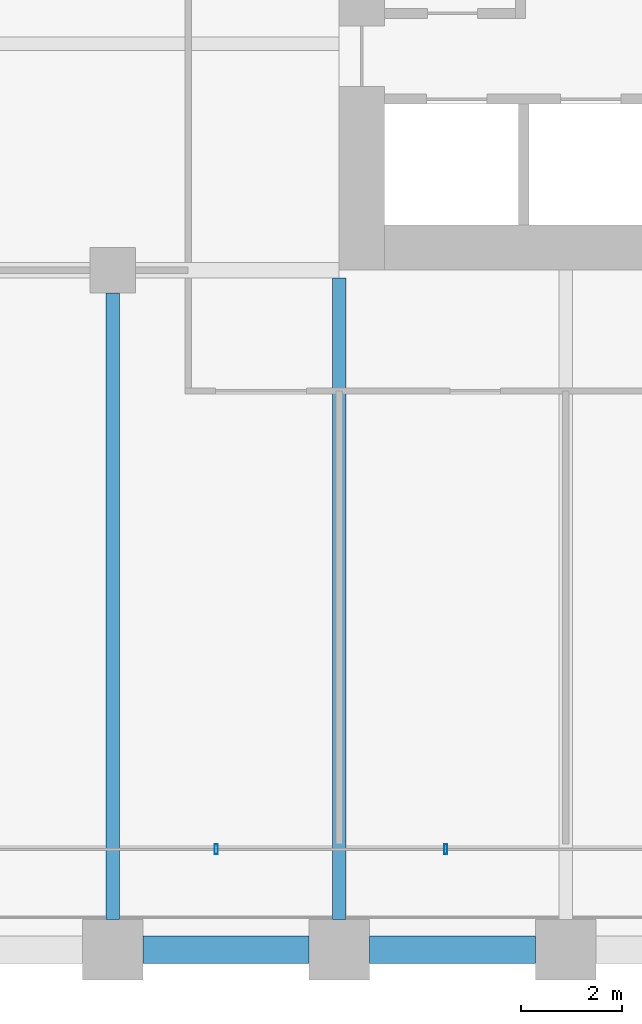
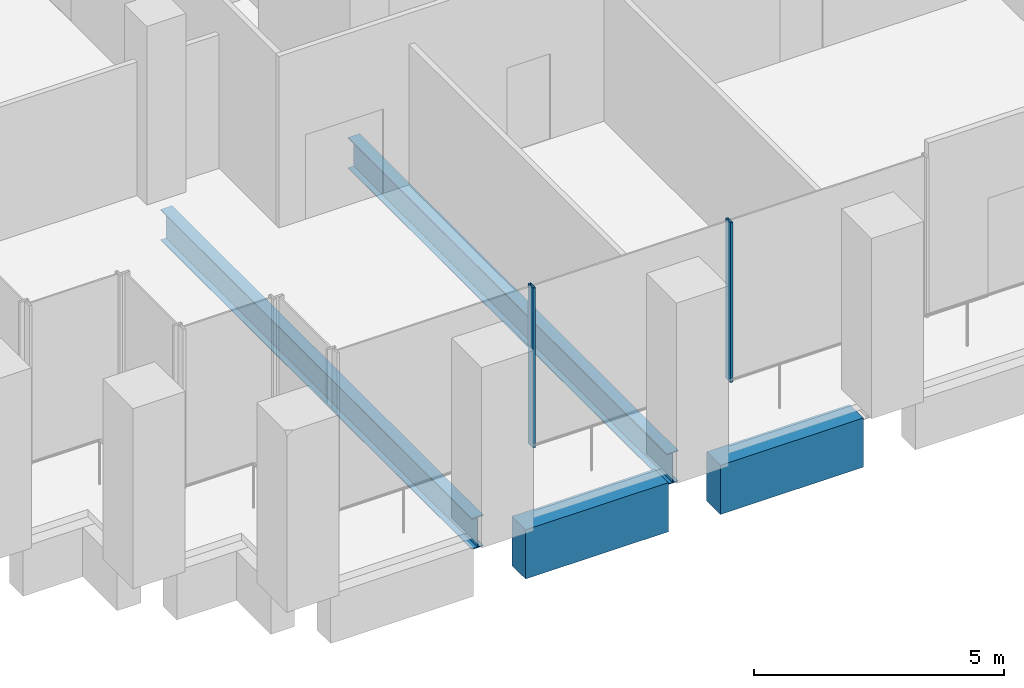
# One storey, part 3 of 36: 4 beams, 2 members, 1 element without a shape of its own.
"""IFC4 building model written with IfcOpenShell, lengths in metres."""

from ifc_helpers import new_model, si_unit, direction, frame, origin, origin_2d, place, context, subcontext, project, spatial, rectangle, hollow_rectangle, i_section, extrude, material, material_profile, profile_set, type_object, element, aggregate, save


model = new_model("IFC4")

# Units and contexts
model_context = context("Model", 3, precision=1e-05, world=origin(), true_north=direction((0.0, 1.0)))
body_context = subcontext(model_context, "Body", "Model", "MODEL_VIEW")
ifc_project = project(units=[si_unit("LENGTHUNIT", "METRE"), si_unit("AREAUNIT", "SQUARE_METRE"), si_unit("VOLUMEUNIT", "CUBIC_METRE"), si_unit("PLANEANGLEUNIT", "RADIAN"), si_unit("MASSUNIT", "GRAM", prefix="KILO")], contexts=[model_context])

# Site, building, storey
site_placement = place(None, origin())
site = spatial("IfcSite", under=ifc_project, at=site_placement, CompositionType="ELEMENT")
building_placement = place(site_placement, origin())
building = spatial("IfcBuilding", under=site, at=building_placement, Name="Altepetl Exchange Towers", CompositionType="ELEMENT")
storey_placement = place(building_placement, frame((0.0, 0.0, 25.39990234375)))
storey = spatial("IfcBuildingStorey", under=building, at=storey_placement, Name="L05", CompositionType="ELEMENT", Elevation=25.39990234375)

# Beams
ifc_material_1 = material(Name="Steel S355", Category="steel")
ifc_material_profile_1 = material_profile(ifc_material_1, i_section(OverallWidth=0.26611328125, OverallDepth=0.758056640625, WebThickness=0.013916015625, FlangeThickness=0.019287109375, at=origin_2d()), Name="W30X108")
ifc_profile_set_1 = profile_set([ifc_material_profile_1], Name="Steel S355")
beam_type_1 = type_object("IfcBeamType", Name="Floor beam W30X108", PredefinedType="BEAM", material=ifc_profile_set_1)
beam_1_placement = place(storey_placement, frame((36.0, 27.60009765625, -0.553955078125), z_axis=(0.0, 1.0, 0.0), x_axis=(-1.0, 0.0, 0.0)))
element("IfcBeam", 1, at=beam_1_placement, inside=storey, type_object=beam_type_1, Name="bm:A:L05:013", PredefinedType="BEAM", context=body_context, shape_type="SweptSolid", body=[
    extrude(i_section(OverallWidth=0.26611328125, OverallDepth=0.758056640625, WebThickness=0.013916015625, FlangeThickness=0.019287109375, at=origin_2d()), origin(), (0.0, 0.0, 1.0), 12.449951171875),
])
beam_2_placement = place(storey_placement, frame((40.5, 27.60009765625, -0.553955078125), z_axis=(0.0, 1.0, 0.0), x_axis=(-1.0, 0.0, 0.0)))
element("IfcBeam", 2, at=beam_2_placement, inside=storey, type_object=beam_type_1, Name="bm:A:L05:014", PredefinedType="BEAM", context=body_context, shape_type="SweptSolid", body=[
    extrude(i_section(OverallWidth=0.26611328125, OverallDepth=0.758056640625, WebThickness=0.013916015625, FlangeThickness=0.019287109375, at=origin_2d()), origin(), (0.0, 0.0, 1.0), 12.745849609375),
])

# Curtain wall, members
ifc_material_2 = material(Name="Aluminium 6063-T6 glazing", Category="aluminium")
curtain_wall_type = type_object("IfcCurtainWallType", Name="Trading floor glazing system", PredefinedType="NOTDEFINED", material=ifc_material_2)
curtain_wall_placement = place(storey_placement, origin())
curtain_wall = element("IfcCurtainWall", 3, at=curtain_wall_placement, inside=storey, type_object=curtain_wall_type, Name="CW2 run", PredefinedType="NOTDEFINED")
ifc_material_3 = material(Name="Aluminium 6063-T6", Category="aluminium")
ifc_material_profile_2 = material_profile(ifc_material_3, hollow_rectangle(XDim=0.06005859375, YDim=0.199951171875, WallThickness=0.0029296875, at=origin_2d()), Name="Mullion 60x200 aluminium")
ifc_profile_set_2 = profile_set([ifc_material_profile_2], Name="Aluminium 6063-T6")
member_type = type_object("IfcMemberType", Name="Mullion 60x200 aluminium", PredefinedType="MULLION", material=ifc_profile_set_2)
member_1_placement = place(storey_placement, frame((38.05712890625, 29.0, 0.0)))
member_1 = element("IfcMember", 4, at=member_1_placement, type_object=member_type, Name="MU2 mullion", PredefinedType="MULLION", context=body_context, shape_type="SweptSolid", body=[
    extrude(hollow_rectangle(XDim=0.06005859375, YDim=0.199951171875, WallThickness=0.0029296875, at=origin_2d()), origin(), (0.0, 0.0, 1.0), 3.900146484375),
])
member_2_placement = place(storey_placement, frame((42.6142578125, 29.0, 0.0)))
member_2 = element("IfcMember", 5, at=member_2_placement, type_object=member_type, Name="MU2 mullion", PredefinedType="MULLION", context=body_context, shape_type="SweptSolid", body=[
    extrude(hollow_rectangle(XDim=0.06005859375, YDim=0.199951171875, WallThickness=0.0029296875, at=origin_2d()), origin(), (0.0, 0.0, 1.0), 3.900146484375),
])
aggregate(curtain_wall, [member_1, member_2])

# Beams
ifc_material_4 = material(Name="Concrete C50/60 precast with cantera blanca facing", Category="concrete")
ifc_material_profile_3 = material_profile(ifc_material_4, rectangle(XDim=0.550048828125, YDim=1.199951171875, at=origin_2d()), Name="550 x 1200")
ifc_profile_set_3 = profile_set([ifc_material_profile_3], Name="Concrete C50/60 precast with cantera blanca facing")
beam_type_2 = type_object("IfcBeamType", Name="Spandrel beam 550x1200 cantera blanca", PredefinedType="SPANDREL", material=ifc_profile_set_3)
for number, where, z_axis, x_axis, name in (
    (6, (36.60009765625, 27.0, -0.77490234375), (1.0, 0.0, 0.0), (0.0, 1.0, 0.0), "sp:A:L05:001"),
    (7, (41.10009765625, 27.0, -0.77490234375), (1.0, 0.0, 0.0), (0.0, 1.0, 0.0), "sp:A:L05:002"),
):
    element("IfcBeam", number, at=place(storey_placement, frame(where, z_axis=z_axis, x_axis=x_axis)), inside=storey, type_object=beam_type_2, Name=name, PredefinedType="SPANDREL", context=body_context, shape_type="SweptSolid", body=[
        extrude(rectangle(XDim=0.550048828125, YDim=1.199951171875, at=origin_2d()), origin(), (0.0, 0.0, 1.0), 3.2998046875),
    ])

save(model, "model.ifc")
